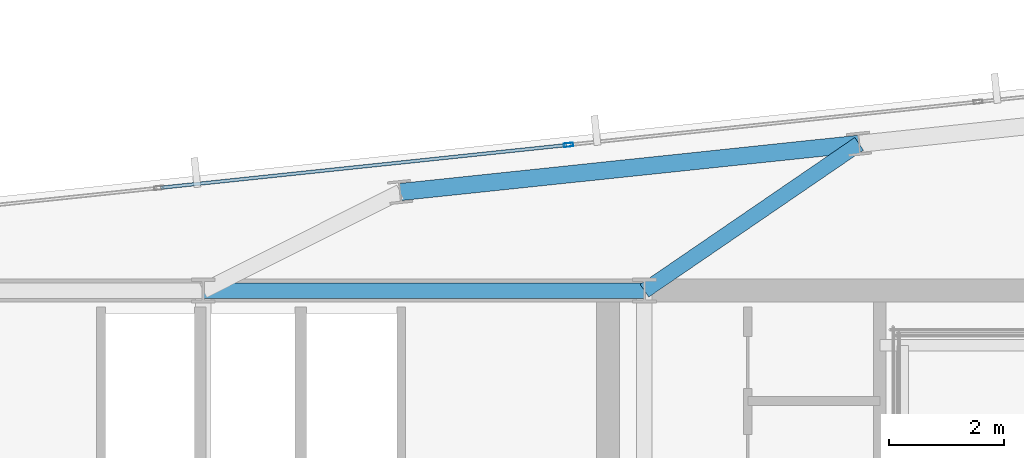
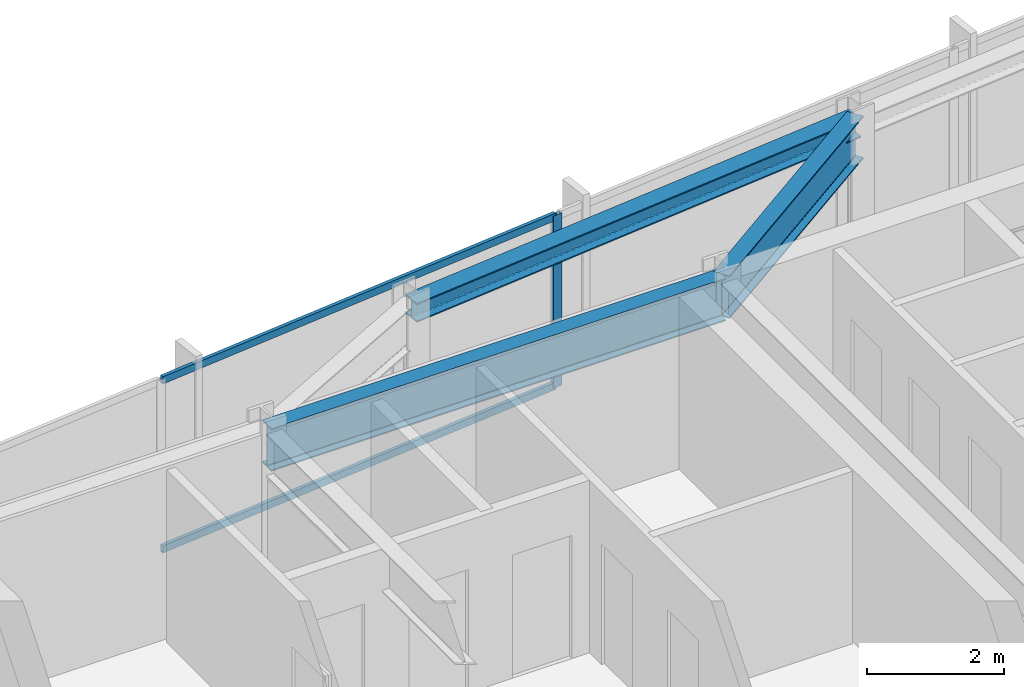
# One storey, part 22 of 33: 3 beams, 3 members, 1 element without a shape of its own.
"""IFC4 building model written with IfcOpenShell, lengths in metres."""

from ifc_helpers import new_model, si_unit, direction, frame, origin, origin_2d, place, context, subcontext, project, spatial, hollow_rectangle, i_section, extrude, material, material_profile, profile_set, type_object, element, aggregate, save


model = new_model("IFC4")

# Units and contexts
model_context = context("Model", 3, precision=1e-05, world=origin(), true_north=direction((0.0, 1.0)))
body_context = subcontext(model_context, "Body", "Model", "MODEL_VIEW")
ifc_project = project(units=[si_unit("LENGTHUNIT", "METRE"), si_unit("AREAUNIT", "SQUARE_METRE"), si_unit("VOLUMEUNIT", "CUBIC_METRE"), si_unit("PLANEANGLEUNIT", "RADIAN"), si_unit("MASSUNIT", "GRAM", prefix="KILO")], contexts=[model_context])

# Site, building, storey
site_placement = place(None, origin())
site = spatial("IfcSite", under=ifc_project, at=site_placement, CompositionType="ELEMENT")
building_placement = place(site_placement, origin())
building = spatial("IfcBuilding", under=site, at=building_placement, Name="Yelkora Congress Tower", CompositionType="ELEMENT")
storey_placement = place(building_placement, frame((0.0, 0.0, 227.60009765625)))
storey = spatial("IfcBuildingStorey", under=building, at=storey_placement, Name="L63", CompositionType="ELEMENT", Elevation=227.60009765625)

# Beams
ifc_material_1 = material(Name="Steel S355J2", Category="steel")
ifc_material_profile_1 = material_profile(ifc_material_1, i_section(OverallWidth=0.26708984375, OverallDepth=0.761962890625, WebThickness=0.014404296875, FlangeThickness=0.021484375, FilletRadius=0.01708984375, at=origin_2d()), Name="IPE 750x173")
ifc_profile_set_1 = profile_set([ifc_material_profile_1], Name="Steel S355J2")
beam_type_1 = type_object("IfcBeamType", Name="BM-GIRD-IPE750", PredefinedType="BEAM", material=ifc_profile_set_1)
beam_1_placement = place(storey_placement, frame((38.39990234375, 46.199951171875, 2.698974609375), z_axis=(1.0, 0.0, 0.0), x_axis=(0.0, 1.0, 0.0)))
element("IfcBeam", 1, at=beam_1_placement, inside=storey, type_object=beam_type_1, Name="L63 Core North Girder 4", PredefinedType="BEAM", context=body_context, shape_type="SweptSolid", body=[
    extrude(i_section(OverallWidth=0.26708984375, OverallDepth=0.761962890625, WebThickness=0.014404296875, FlangeThickness=0.021484375, FilletRadius=0.01708984375, at=origin_2d()), origin(), (0.0, 0.0, 1.0), 7.68017578125),
])
beam_2_placement = place(storey_placement, frame((49.8173828125, 48.757080078125, 2.698974609375), z_axis=(-0.825304616438, -0.564687781067, 0.0), x_axis=(0.564687781067, -0.825304616438, 0.0)))
element("IfcBeam", 2, at=beam_2_placement, inside=storey, type_object=beam_type_1, Name="L63 Primary Frame Girder N05", PredefinedType="BEAM", context=body_context, shape_type="SweptSolid", body=[
    extrude(i_section(OverallWidth=0.26708984375, OverallDepth=0.761962890625, WebThickness=0.014404296875, FlangeThickness=0.021484375, FilletRadius=0.01708984375, at=origin_2d()), origin(), (0.0, 0.0, 1.0), 4.5283203125),
])
ifc_material_profile_2 = material_profile(ifc_material_1, i_section(OverallWidth=0.300048828125, OverallDepth=0.340087890625, WebThickness=0.011962890625, FlangeThickness=0.021484375, FilletRadius=0.027099609375, at=origin_2d()), Name="HEB 340")
ifc_profile_set_2 = profile_set([ifc_material_profile_2], Name="Steel S355J2")
beam_type_2 = type_object("IfcBeamType", Name="BM-SPAN-HEB340", PredefinedType="SPANDREL", material=ifc_profile_set_2)
beam_3_placement = place(storey_placement, frame((49.8173828125, 48.757080078125, 2.909912109375), z_axis=(-0.994523256947, -0.104515507904, 0.0), x_axis=(0.104515507904, -0.994523256947, 0.0)))
element("IfcBeam", 3, at=beam_3_placement, inside=storey, type_object=beam_type_2, Name="L63 Perimeter Beam 15", PredefinedType="SPANDREL", context=body_context, shape_type="SweptSolid", body=[
    extrude(i_section(OverallWidth=0.300048828125, OverallDepth=0.340087890625, WebThickness=0.011962890625, FlangeThickness=0.021484375, FilletRadius=0.027099609375, at=origin_2d()), origin(), (0.0, 0.0, 1.0), 8.033203125),
])

# Curtain wall, members
ifc_material_2 = material(Name="Anodised aluminium and insulated glass", Category="aluminium")
curtain_wall_type = type_object("IfcCurtainWallType", Name="CW-SYS-B4", PredefinedType="NOTDEFINED", material=ifc_material_2)
curtain_wall_placement = place(storey_placement, origin())
curtain_wall = element("IfcCurtainWall", 4, at=curtain_wall_placement, inside=storey, type_object=curtain_wall_type, Name="L63 Unitised Curtain Wall 10 (3)", PredefinedType="NOTDEFINED")
ifc_material_3 = material(Name="Anodised aluminium 6063-T6", Category="aluminium")
ifc_material_profile_3 = material_profile(ifc_material_3, hollow_rectangle(XDim=0.06494140625, YDim=0.159912109375, WallThickness=0.00390625, at=origin_2d()), Name="ALU 65x160x4")
ifc_profile_set_3 = profile_set([ifc_material_profile_3], Name="Anodised aluminium 6063-T6")
member_type_1 = type_object("IfcMemberType", Name="MEM-ML-B4", PredefinedType="MULLION", material=ifc_profile_set_3)
member_1_placement = place(storey_placement, frame((44.75830078125, 48.73828125, 0.0), z_axis=(0.0, 0.0, 1.0), x_axis=(-0.104527724021, 0.994521973066, 0.0)))
member_1 = element("IfcMember", 5, at=member_1_placement, type_object=member_type_1, Name="CW-B4 mullion 4", PredefinedType="MULLION", context=body_context, shape_type="SweptSolid", body=[
    extrude(hollow_rectangle(XDim=0.06494140625, YDim=0.159912109375, WallThickness=0.00390625, at=origin_2d()), origin(), (0.0, 0.0, 1.0), 3.079833984375),
])
ifc_material_profile_4 = material_profile(ifc_material_3, hollow_rectangle(XDim=0.06005859375, YDim=0.1298828125, WallThickness=0.00390625, at=origin_2d()), Name="ALU 60x130x4")
ifc_profile_set_4 = profile_set([ifc_material_profile_4], Name="Anodised aluminium 6063-T6")
member_type_2 = type_object("IfcMemberType", Name="MEM-TR-B4", PredefinedType="USERDEFINED", material=ifc_profile_set_4)
member_2_placement = place(storey_placement, frame((37.659912109375, 47.9921875, 0.02978515625), z_axis=(0.994521633799, 0.104530951904, 0.0), x_axis=(-0.104530951904, 0.994521633799, 0.0)))
member_2 = element("IfcMember", 6, at=member_2_placement, type_object=member_type_2, Name="CW-B4 transom 3.1", ObjectType="TRANSOM", PredefinedType="USERDEFINED", context=body_context, shape_type="SweptSolid", body=[
    extrude(hollow_rectangle(XDim=0.06005859375, YDim=0.1298828125, WallThickness=0.00390625, at=origin_2d()), origin(), (0.0, 0.0, 1.0), 7.104736328125),
])
member_3_placement = place(storey_placement, frame((37.659912109375, 47.9921875, 3.0498046875), z_axis=(0.994521633799, 0.104530951904, 0.0), x_axis=(-0.104530951904, 0.994521633799, 0.0)))
member_3 = element("IfcMember", 7, at=member_3_placement, type_object=member_type_2, Name="CW-B4 transom 3.2", ObjectType="TRANSOM", PredefinedType="USERDEFINED", context=body_context, shape_type="SweptSolid", body=[
    extrude(hollow_rectangle(XDim=0.06005859375, YDim=0.1298828125, WallThickness=0.00390625, at=origin_2d()), origin(), (0.0, 0.0, 1.0), 7.104736328125),
])
aggregate(curtain_wall, [member_1, member_2, member_3])

save(model, "model.ifc")
